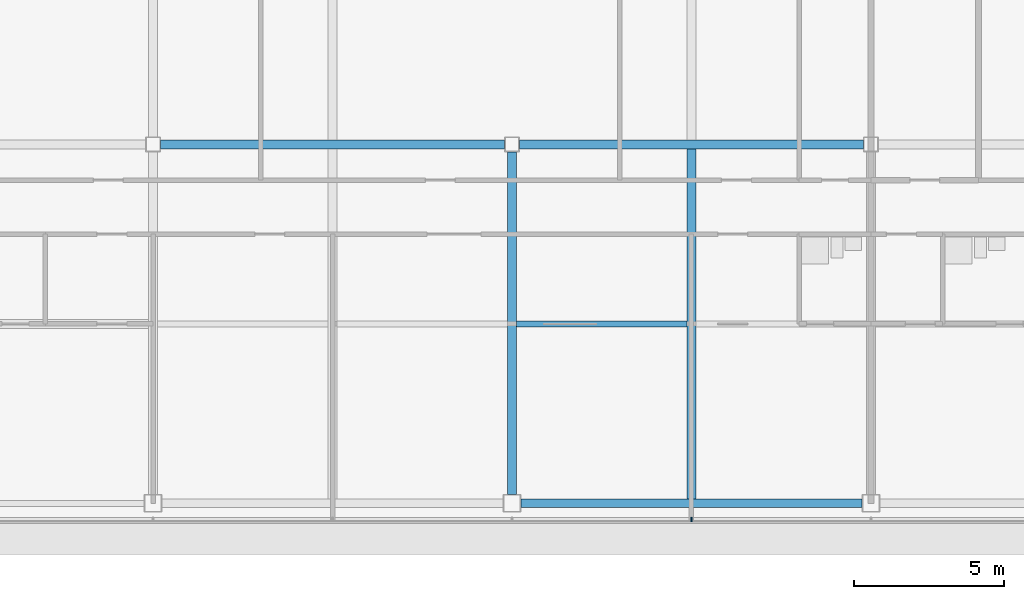
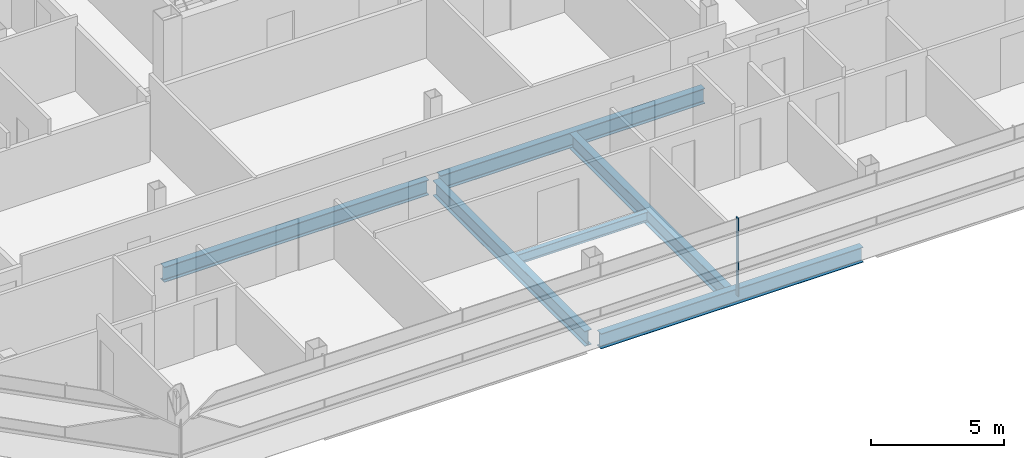
# One storey, part 4 of 28: 6 beams, 1 member, 1 element without a shape of its own.
"""IFC4 building model written with IfcOpenShell, lengths in metres."""

from ifc_helpers import new_model, si_unit, direction, frame, origin, origin_2d, place, context, subcontext, project, spatial, rectangle, i_section, extrude, material, material_profile, profile_set, type_object, element, aggregate, save


model = new_model("IFC4")

# Units and contexts
model_context = context("Model", 3, precision=1e-05, world=origin(), true_north=direction((0.0, 1.0)))
body_context = subcontext(model_context, "Body", "Model", "MODEL_VIEW")
ifc_project = project(units=[si_unit("LENGTHUNIT", "METRE"), si_unit("AREAUNIT", "SQUARE_METRE"), si_unit("VOLUMEUNIT", "CUBIC_METRE"), si_unit("PLANEANGLEUNIT", "RADIAN"), si_unit("MASSUNIT", "GRAM", prefix="KILO")], contexts=[model_context])

# Site, building, storey
site_placement = place(None, origin())
site = spatial("IfcSite", under=ifc_project, at=site_placement, CompositionType="ELEMENT")
building_placement = place(site_placement, origin())
building = spatial("IfcBuilding", under=site, at=building_placement, Name="Sorahane Residences", CompositionType="ELEMENT")
storey_placement = place(building_placement, frame((0.0, 0.0, 270.199951171875)))
storey = spatial("IfcBuildingStorey", under=building, at=storey_placement, Name="L64", CompositionType="ELEMENT", Elevation=270.199951171875)

# Curtain wall, member
ifc_material_1 = material(Name="Dark low-e glass and black anodised aluminium", Category="aluminium")
curtain_wall_type = type_object("IfcCurtainWallType", Name="Curtain wall CW-1 Typical unitised wall", PredefinedType="NOTDEFINED", material=ifc_material_1)
curtain_wall_placement = place(storey_placement, origin())
curtain_wall = element("IfcCurtainWall", 1, at=curtain_wall_placement, inside=storey, type_object=curtain_wall_type, Name="CW-1 curtain wall L64 S1", PredefinedType="NOTDEFINED")
ifc_material_2 = material(Name="Black anodised aluminium", Category="aluminium")
ifc_material_profile_1 = material_profile(ifc_material_2, rectangle(XDim=0.159912109375, YDim=0.050048828125, at=origin_2d()), Name="Curtain wall mullion CW-1 black anodised aluminium 50x160")
ifc_profile_set_1 = profile_set([ifc_material_profile_1], Name="Black anodised aluminium")
member_type = type_object("IfcMemberType", Name="Curtain wall mullion CW-1 black anodised aluminium 50x160", PredefinedType="MULLION", material=ifc_profile_set_1)
member_placement = place(storey_placement, frame((18.0, -0.5400390625, -0.179931640625), z_axis=(0.0, 0.0, 1.0), x_axis=(0.0, -1.0, 0.0)))
member = element("IfcMember", 2, at=member_placement, type_object=member_type, Name="CW-1 mullion L64 S1.5", PredefinedType="MULLION", context=body_context, shape_type="SweptSolid", body=[
    extrude(rectangle(XDim=0.159912109375, YDim=0.050048828125, at=origin_2d()), origin(), (0.0, 0.0, 1.0), 3.60009765625),
])
aggregate(curtain_wall, [member])

# Beams
ifc_material_3 = material(Name="Steel Q355B", Category="steel")
ifc_material_profile_2 = material_profile(ifc_material_3, i_section(OverallWidth=0.199951171875, OverallDepth=0.449951171875, WebThickness=0.009033203125, FlangeThickness=0.013916015625, FilletRadius=0.02001953125, at=origin_2d()), Name="HN 450x200x9x14")
ifc_profile_set_2 = profile_set([ifc_material_profile_2], Name="Steel Q355B")
beam_type_1 = type_object("IfcBeamType", Name="Steel floor beam HN 450x200x9x14 Q355B", PredefinedType="BEAM", material=ifc_profile_set_2)
beam_1_placement = place(storey_placement, frame((12.14990234375, 6.0, -0.405029296875), z_axis=(1.0, 0.0, 0.0), x_axis=(0.0, 1.0, 0.0)))
element("IfcBeam", 3, at=beam_1_placement, inside=storey, type_object=beam_type_1, Name="Beam L64 071", PredefinedType="BEAM", context=body_context, shape_type="SweptSolid", body=[
    extrude(i_section(OverallWidth=0.199951171875, OverallDepth=0.449951171875, WebThickness=0.009033203125, FlangeThickness=0.013916015625, FilletRadius=0.02001953125, at=origin_2d()), origin(), (0.0, 0.0, 1.0), 5.7001953125),
])
ifc_material_4 = material(Name="Steel Q355B", Category="steel")
ifc_material_profile_3 = material_profile(ifc_material_4, i_section(OverallWidth=0.300048828125, OverallDepth=0.699951171875, WebThickness=0.012939453125, FlangeThickness=0.02392578125, FilletRadius=0.028076171875, at=origin_2d()), Name="HN 700x300x13x24")
ifc_profile_set_3 = profile_set([ifc_material_profile_3], Name="Steel Q355B")
beam_type_2 = type_object("IfcBeamType", Name="Steel floor beam HN 700x300x13x24 Q355B", PredefinedType="BEAM", material=ifc_profile_set_3)
beam_2_placement = place(storey_placement, frame((12.300048828125, 0.0, -0.530029296875), z_axis=(1.0, 0.0, 0.0), x_axis=(0.0, 1.0, 0.0)))
element("IfcBeam", 4, at=beam_2_placement, inside=storey, type_object=beam_type_2, Name="Beam L64 002", PredefinedType="BEAM", context=body_context, shape_type="SweptSolid", body=[
    extrude(i_section(OverallWidth=0.300048828125, OverallDepth=0.699951171875, WebThickness=0.012939453125, FlangeThickness=0.02392578125, FilletRadius=0.028076171875, at=origin_2d()), origin(), (0.0, 0.0, 1.0), 11.39990234375),
])
for number, where, z_axis, x_axis, name in (
    (5, (0.25, 12.0, -0.530029296875), (1.0, 0.0, 0.0), (0.0, 1.0, 0.0), "Beam L64 006"),
    (6, (12.25, 12.0, -0.530029296875), (1.0, 0.0, 0.0), (0.0, 1.0, 0.0), "Beam L64 007"),
):
    element("IfcBeam", number, at=place(storey_placement, frame(where, z_axis=z_axis, x_axis=x_axis)), inside=storey, type_object=beam_type_2, Name=name, PredefinedType="BEAM", context=body_context, shape_type="SweptSolid", body=[
        extrude(i_section(OverallWidth=0.300048828125, OverallDepth=0.699951171875, WebThickness=0.012939453125, FlangeThickness=0.02392578125, FilletRadius=0.028076171875, at=origin_2d()), origin(), (0.0, 0.0, 1.0), 11.5),
    ])
beam_3_placement = place(storey_placement, frame((12.0, 0.300048828125, -0.530029296875), z_axis=(0.0, 1.0, 0.0), x_axis=(-1.0, 0.0, 0.0)))
element("IfcBeam", 7, at=beam_3_placement, inside=storey, type_object=beam_type_2, Name="Beam L64 034", PredefinedType="BEAM", context=body_context, shape_type="SweptSolid", body=[
    extrude(i_section(OverallWidth=0.300048828125, OverallDepth=0.699951171875, WebThickness=0.012939453125, FlangeThickness=0.02392578125, FilletRadius=0.028076171875, at=origin_2d()), origin(), (0.0, 0.0, 1.0), 11.449951171875),
])
beam_4_placement = place(storey_placement, frame((18.0, 0.14990234375, -0.530029296875), z_axis=(0.0, 1.0, 0.0), x_axis=(-1.0, 0.0, 0.0)))
element("IfcBeam", 8, at=beam_4_placement, inside=storey, type_object=beam_type_2, Name="Beam L64 036", PredefinedType="BEAM", context=body_context, shape_type="SweptSolid", body=[
    extrude(i_section(OverallWidth=0.300048828125, OverallDepth=0.699951171875, WebThickness=0.012939453125, FlangeThickness=0.02392578125, FilletRadius=0.028076171875, at=origin_2d()), origin(), (0.0, 0.0, 1.0), 11.7001953125),
])

save(model, "model.ifc")
